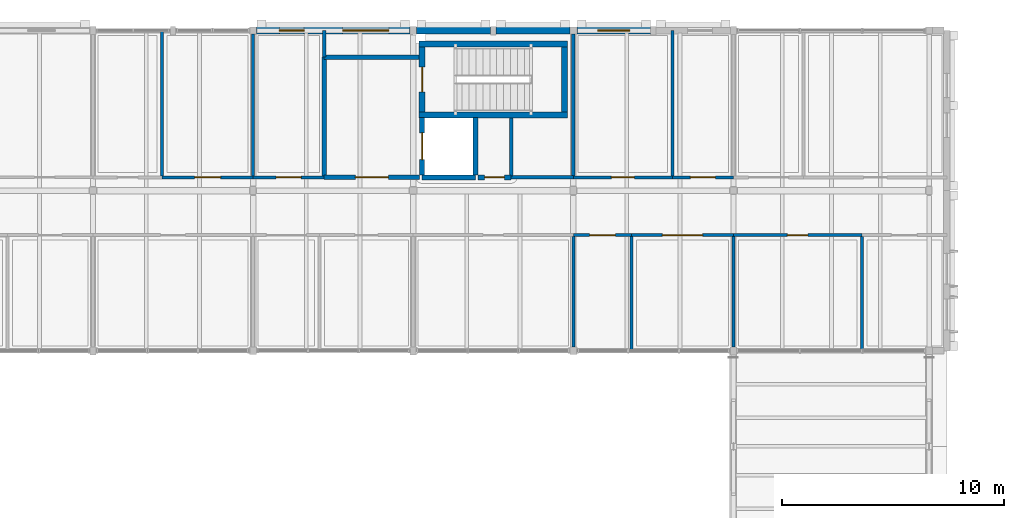
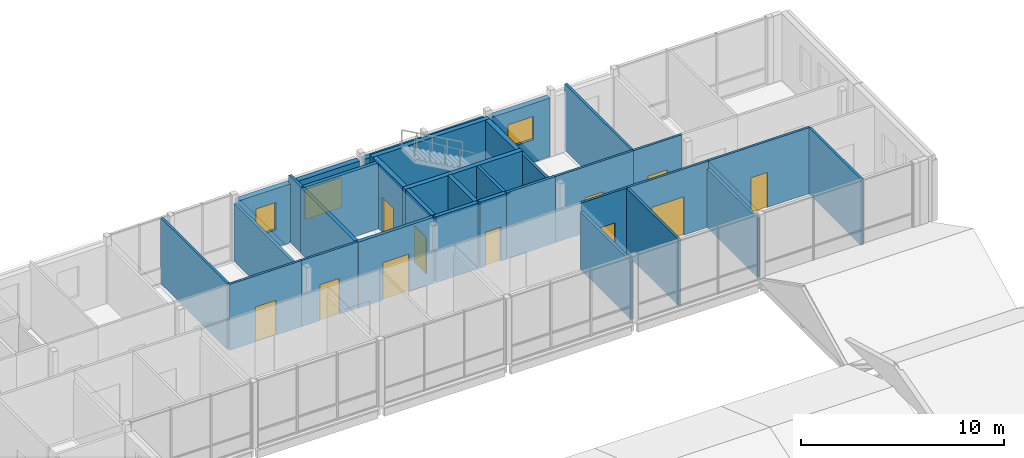
# One storey, part 88 of 115: 33 walls, 11 doors, 3 windows, 14 openings.
"""IFC4 building model written with IfcOpenShell, lengths in metres."""

from ifc_helpers import new_model, si_unit, direction, frame, frame_2d, origin, place, context, subcontext, project, spatial, rectangle, extrude, material, layer, layer_set, type_object, element, fill, save


model = new_model("IFC4")

# Units and contexts
model_context = context("Model", 3, precision=1e-05, world=origin(), true_north=direction((0.0, 1.0)))
body_context = subcontext(model_context, "Body", "Model", "MODEL_VIEW")
ifc_project = project(units=[si_unit("LENGTHUNIT", "METRE"), si_unit("AREAUNIT", "SQUARE_METRE"), si_unit("VOLUMEUNIT", "CUBIC_METRE"), si_unit("PLANEANGLEUNIT", "RADIAN"), si_unit("MASSUNIT", "GRAM", prefix="KILO")], contexts=[model_context])

# Site, building, storey
site_placement = place(None, origin())
site = spatial("IfcSite", under=ifc_project, at=site_placement, CompositionType="ELEMENT")
building_placement = place(site_placement, origin())
building = spatial("IfcBuilding", under=site, at=building_placement, Name="Hawrajan Terrace Health Centre", CompositionType="ELEMENT")
storey_placement = place(building_placement, frame((0.0, 0.0, 9.0)))
storey = spatial("IfcBuildingStorey", under=building, at=storey_placement, Name="L02", CompositionType="ELEMENT", Elevation=9.0)

# Wall, openings, windows
ifc_material_1 = material(Name="Precast concrete C40/50", Category="concrete")
ifc_layer_1 = layer(ifc_material_1, 0.31005859375)
ifc_layer_set_1 = layer_set([ifc_layer_1], Name="Precast concrete C40/50")
wall_type_1 = type_object("IfcWallType", Name="ArtDecoFacadeWall_310", PredefinedType="SOLIDWALL", material=ifc_layer_set_1)
wall_1_placement = place(storey_placement, frame((40.760009765625, 59.800048828125, 0.0), z_axis=(0.0, 0.0, 1.0), x_axis=(1.0, 0.0, 0.0)))
wall_1 = element("IfcWall", 1, at=wall_1_placement, inside=storey, type_object=wall_type_1, Name="Exterior wall EW-L02-H05-07-1", PredefinedType="SOLIDWALL", context=body_context, shape_type="SweptSolid", body=[
    extrude(rectangle(XDim=6.89990234375, YDim=0.31005859375, at=frame_2d((3.449951171875, 0.0))), origin(), (0.0, 0.0, 1.0), 3.530029296875),
])
opening_1_placement = place(wall_1_placement, frame((1.02001953125, 0.0, 1.050048828125)))
opening_1 = element("IfcOpeningElement", 2, at=opening_1_placement, cuts=wall_1, Name="Opening W-L02-143", PredefinedType="OPENING", context=body_context, shape_type="SweptSolid", body=[
    extrude(rectangle(XDim=1.1201171875, YDim=1.64990234375, at=frame_2d((0.56005859375, 0.824951171875))), frame((0.0, 0.1650390625, 0.0), z_axis=(0.0, -1.0, 0.0), x_axis=(1.0, 0.0, 0.0)), (0.0, 0.0, 1.0), 0.330078125),
])
opening_2_placement = place(wall_1_placement, frame((3.8701171875, 0.0, 1.0)))
opening_2 = element("IfcOpeningElement", 3, at=opening_2_placement, cuts=wall_1, Name="Opening W-L02-144", PredefinedType="OPENING", context=body_context, shape_type="SweptSolid", body=[
    extrude(rectangle(XDim=2.080078125, YDim=1.800048828125, at=frame_2d((1.0400390625, 0.89990234375))), frame((0.0, 0.1650390625, 0.0), z_axis=(0.0, -1.0, 0.0), x_axis=(1.0, 0.0, 0.0)), (0.0, 0.0, 1.0), 0.330078125),
])
ifc_material_2 = material(Name="Anodized bronze frame with double low-E glazing", Category="glass")
window_type_1 = type_object("IfcWindowType", Name="FacadeWindow_1120x1650", PartitioningType="SINGLE_PANEL", PredefinedType="WINDOW", material=ifc_material_2)
window_1_placement = place(opening_1_placement, origin())
window_1 = element("IfcWindow", 4, at=window_1_placement, inside=storey, type_object=window_type_1, Name="Window W-L02-143", OverallHeight=1.64990234375, OverallWidth=1.1201171875, PartitioningType="SINGLE_PANEL", PredefinedType="WINDOW", context=body_context, shape_type="SweptSolid", body=[
    extrude(rectangle(XDim=1.1201171875, YDim=1.64990234375, at=frame_2d((0.56005859375, 0.824951171875))), frame((0.0, 0.030029296875, 0.0), z_axis=(0.0, -1.0, 0.0), x_axis=(1.0, 0.0, 0.0)), (0.0, 0.0, 1.0), 0.06005859375),
])
fill(opening_1, window_1)
window_type_2 = type_object("IfcWindowType", Name="FacadeWindow_2080x1800", PartitioningType="DOUBLE_PANEL_VERTICAL", PredefinedType="WINDOW", material=ifc_material_2)
window_2_placement = place(opening_2_placement, origin())
window_2 = element("IfcWindow", 5, at=window_2_placement, inside=storey, type_object=window_type_2, Name="Window W-L02-144", OverallHeight=1.800048828125, OverallWidth=2.080078125, PartitioningType="DOUBLE_PANEL_VERTICAL", PredefinedType="WINDOW", context=body_context, shape_type="SweptSolid", body=[
    extrude(rectangle(XDim=2.080078125, YDim=1.800048828125, at=frame_2d((1.0400390625, 0.89990234375))), frame((0.0, 0.030029296875, 0.0), z_axis=(0.0, -1.0, 0.0), x_axis=(1.0, 0.0, 0.0)), (0.0, 0.0, 1.0), 0.06005859375),
])
fill(opening_2, window_2)

# Walls
wall_2_placement = place(storey_placement, frame((47.93994140625, 59.800048828125, 0.0), z_axis=(0.0, 0.0, 1.0), x_axis=(1.0, 0.0, 0.0)))
element("IfcWall", 6, at=wall_2_placement, inside=storey, type_object=wall_type_1, Name="Exterior wall EW-L02-H06-07-1", PredefinedType="SOLIDWALL", context=body_context, shape_type="SweptSolid", body=[
    extrude(rectangle(XDim=3.340087890625, YDim=0.31005859375, at=frame_2d((1.669921875, 0.0))), origin(), (0.0, 0.0, 1.0), 3.530029296875),
])
wall_3_placement = place(storey_placement, frame((51.52001953125, 59.800048828125, 0.0), z_axis=(0.0, 0.0, 1.0), x_axis=(1.0, 0.0, 0.0)))
element("IfcWall", 7, at=wall_3_placement, inside=storey, type_object=wall_type_1, Name="Exterior wall EW-L02-H06-07-2", PredefinedType="SOLIDWALL", context=body_context, shape_type="SweptSolid", body=[
    extrude(rectangle(XDim=3.320068359375, YDim=0.31005859375, at=frame_2d((1.66015625, 0.0))), origin(), (0.0, 0.0, 1.0), 3.530029296875),
])

# Wall, opening, window
wall_4_placement = place(storey_placement, frame((55.159912109375, 59.800048828125, 0.0), z_axis=(0.0, 0.0, 1.0), x_axis=(1.0, 0.0, 0.0)))
wall_4 = element("IfcWall", 8, at=wall_4_placement, inside=storey, type_object=wall_type_1, Name="Exterior wall EW-L02-H07-07-1", PredefinedType="SOLIDWALL", context=body_context, shape_type="SweptSolid", body=[
    extrude(rectangle(XDim=3.320068359375, YDim=0.31005859375, at=frame_2d((1.66015625, 0.0))), origin(), (0.0, 0.0, 1.0), 3.52001953125),
])
opening_3_placement = place(wall_4_placement, frame((0.93505859375, 0.0, 1.35009765625)))
opening_3 = element("IfcOpeningElement", 9, at=opening_3_placement, cuts=wall_4, Name="Opening W-L02-149", PredefinedType="OPENING", context=body_context, shape_type="SweptSolid", body=[
    extrude(rectangle(XDim=1.449951171875, YDim=1.39990234375, at=frame_2d((0.72509765625, 0.699951171875))), frame((0.0, 0.1650390625, 0.0), z_axis=(0.0, -1.0, 0.0), x_axis=(1.0, 0.0, 0.0)), (0.0, 0.0, 1.0), 0.330078125),
])
window_type_3 = type_object("IfcWindowType", Name="FacadeWindow_1450x1400", PartitioningType="SINGLE_PANEL", PredefinedType="WINDOW", material=ifc_material_2)
window_3_placement = place(opening_3_placement, origin())
window_3 = element("IfcWindow", 10, at=window_3_placement, inside=storey, type_object=window_type_3, Name="Window W-L02-149", OverallHeight=1.39990234375, OverallWidth=1.449951171875, PartitioningType="SINGLE_PANEL", PredefinedType="WINDOW", context=body_context, shape_type="SweptSolid", body=[
    extrude(rectangle(XDim=1.449951171875, YDim=1.39990234375, at=frame_2d((0.72509765625, 0.699951171875))), frame((0.0, 0.030029296875, 0.0), z_axis=(0.0, -1.0, 0.0), x_axis=(1.0, 0.0, 0.0)), (0.0, 0.0, 1.0), 0.06005859375),
])
fill(opening_3, window_3)

# Wall
ifc_material_3 = material(Name="Gypsum board on acoustic stud framing")
ifc_layer_2 = layer(ifc_material_3, 0.139892578125)
ifc_layer_set_2 = layer_set([ifc_layer_2], Name="Gypsum board on acoustic stud framing")
wall_type_2 = type_object("IfcWallType", Name="ClinicalAcousticWall_140", PredefinedType="PARTITIONING", material=ifc_layer_set_2)
wall_5_placement = place(storey_placement, frame((36.510009765625, 53.27001953125, 0.0), z_axis=(0.0, 0.0, 1.0), x_axis=(0.0, 1.0, 0.0)))
element("IfcWall", 11, at=wall_5_placement, inside=storey, type_object=wall_type_2, Name="Interior wall IW-L02-1074", PredefinedType="PARTITIONING", context=body_context, shape_type="SweptSolid", body=[
    extrude(rectangle(XDim=6.530029296875, YDim=0.139892578125, at=frame_2d((3.26513671875, 0.0))), origin(), (0.0, 0.0, 1.0), 3.9599609375),
])

# Wall, opening, door
wall_6_placement = place(storey_placement, frame((36.510009765625, 53.199951171875, 0.0), z_axis=(0.0, 0.0, 1.0), x_axis=(1.0, 0.0, 0.0)))
wall_6 = element("IfcWall", 12, at=wall_6_placement, inside=storey, type_object=wall_type_2, Name="Interior wall IW-L02-1075", PredefinedType="PARTITIONING", context=body_context, shape_type="SweptSolid", body=[
    extrude(rectangle(XDim=4.090087890625, YDim=0.139892578125, at=frame_2d((2.044921875, 0.0))), origin(), (0.0, 0.0, 1.0), 3.9599609375),
])
opening_4_placement = place(wall_6_placement, frame((1.465087890625, 0.0, 0.0)))
opening_4 = element("IfcOpeningElement", 13, at=opening_4_placement, cuts=wall_6, Name="Opening D-L02-492", PredefinedType="OPENING", context=body_context, shape_type="SweptSolid", body=[
    extrude(rectangle(XDim=1.159912109375, YDim=2.10009765625, at=frame_2d((0.580078125, 1.050048828125))), frame((0.0, 0.079833984375, 0.0), z_axis=(0.0, -1.0, 0.0), x_axis=(1.0, 0.0, 0.0)), (0.0, 0.0, 1.0), 0.159912109375),
])
ifc_material_4 = material(Name="Hardwood acoustic clinical door leaf and frame", Category="wood")
door_type_1 = type_object("IfcDoorType", Name="ConsultDoor_1160x2100", OperationType="NOTDEFINED", PredefinedType="DOOR", material=ifc_material_4)
door_1_placement = place(opening_4_placement, origin())
door_1 = element("IfcDoor", 14, at=door_1_placement, inside=storey, type_object=door_type_1, Name="Interior door D-L02-492", OperationType="SINGLE_SWING_RIGHT", OverallHeight=2.10009765625, OverallWidth=1.159912109375, PredefinedType="DOOR", context=body_context, shape_type="SweptSolid", body=[
    extrude(rectangle(XDim=1.159912109375, YDim=2.10009765625, at=frame_2d((0.580078125, 1.050048828125))), frame((0.0, 0.02490234375, 0.0), z_axis=(0.0, -1.0, 0.0), x_axis=(1.0, 0.0, 0.0)), (0.0, 0.0, 1.0), 0.050048828125),
])
fill(opening_4, door_1)

# Wall
wall_7_placement = place(storey_placement, frame((40.60009765625, 53.27001953125, 0.0), z_axis=(0.0, 0.0, 1.0), x_axis=(0.0, 1.0, 0.0)))
element("IfcWall", 15, at=wall_7_placement, inside=storey, type_object=wall_type_2, Name="Interior wall IW-L02-1080", PredefinedType="PARTITIONING", context=body_context, shape_type="SweptSolid", body=[
    extrude(rectangle(XDim=6.369873046875, YDim=0.139892578125, at=frame_2d((3.18505859375, 0.0))), origin(), (0.0, 0.0, 1.0), 3.469970703125),
])

# Wall, opening, door
wall_8_placement = place(storey_placement, frame((40.60009765625, 53.199951171875, 0.0), z_axis=(0.0, 0.0, 1.0), x_axis=(1.0, 0.0, 0.0)))
wall_8 = element("IfcWall", 16, at=wall_8_placement, inside=storey, type_object=wall_type_2, Name="Interior wall IW-L02-1081", PredefinedType="PARTITIONING", context=body_context, shape_type="SweptSolid", body=[
    extrude(rectangle(XDim=3.199951171875, YDim=0.139892578125, at=frame_2d((1.60009765625, 0.0))), origin(), (0.0, 0.0, 1.0), 3.9599609375),
])
opening_5_placement = place(wall_8_placement, frame((1.0400390625, 0.0, 0.0)))
opening_5 = element("IfcOpeningElement", 17, at=opening_5_placement, cuts=wall_8, Name="Opening D-L02-495", PredefinedType="OPENING", context=body_context, shape_type="SweptSolid", body=[
    extrude(rectangle(XDim=1.1201171875, YDim=2.14990234375, at=frame_2d((0.56005859375, 1.074951171875))), frame((0.0, 0.079833984375, 0.0), z_axis=(0.0, -1.0, 0.0), x_axis=(1.0, 0.0, 0.0)), (0.0, 0.0, 1.0), 0.159912109375),
])
door_type_2 = type_object("IfcDoorType", Name="DentalSurgeryDoor_1120x2150", OperationType="NOTDEFINED", PredefinedType="DOOR", material=ifc_material_4)
door_2_placement = place(opening_5_placement, origin())
door_2 = element("IfcDoor", 18, at=door_2_placement, inside=storey, type_object=door_type_2, Name="Interior door D-L02-495", OperationType="SINGLE_SWING_LEFT", OverallHeight=2.14990234375, OverallWidth=1.1201171875, PredefinedType="DOOR", context=body_context, shape_type="SweptSolid", body=[
    extrude(rectangle(XDim=1.1201171875, YDim=2.14990234375, at=frame_2d((0.56005859375, 1.074951171875))), frame((0.0, 0.02490234375, 0.0), z_axis=(0.0, -1.0, 0.0), x_axis=(1.0, 0.0, 0.0)), (0.0, 0.0, 1.0), 0.050048828125),
])
fill(opening_5, door_2)

# Wall
wall_9_placement = place(storey_placement, frame((55.0, 45.56005859375, 0.0), z_axis=(0.0, 0.0, 1.0), x_axis=(0.0, 1.0, 0.0)))
element("IfcWall", 19, at=wall_9_placement, inside=storey, type_object=wall_type_2, Name="Interior wall IW-L02-1100", PredefinedType="PARTITIONING", context=body_context, shape_type="SweptSolid", body=[
    extrude(rectangle(XDim=4.969970703125, YDim=0.139892578125, at=frame_2d((2.48486328125, 0.0))), origin(), (0.0, 0.0, 1.0), 3.469970703125),
])

# Wall, opening, door
wall_10_placement = place(storey_placement, frame((55.0, 50.60009765625, 0.0), z_axis=(0.0, 0.0, 1.0), x_axis=(1.0, 0.0, 0.0)))
wall_10 = element("IfcWall", 20, at=wall_10_placement, inside=storey, type_object=wall_type_2, Name="Interior wall IW-L02-1101", PredefinedType="PARTITIONING", context=body_context, shape_type="SweptSolid", body=[
    extrude(rectangle(XDim=2.62109375, YDim=0.139892578125, at=frame_2d((1.310546875, 0.0))), origin(), (0.0, 0.0, 1.0), 3.9599609375),
])
opening_6_placement = place(wall_10_placement, frame((0.73046875, 0.0, 0.0)))
opening_6 = element("IfcOpeningElement", 21, at=opening_6_placement, cuts=wall_10, Name="Opening D-L02-497", PredefinedType="OPENING", context=body_context, shape_type="SweptSolid", body=[
    extrude(rectangle(XDim=1.159912109375, YDim=2.10009765625, at=frame_2d((0.580078125, 1.050048828125))), frame((0.0, 0.079833984375, 0.0), z_axis=(0.0, -1.0, 0.0), x_axis=(1.0, 0.0, 0.0)), (0.0, 0.0, 1.0), 0.159912109375),
])
door_3_placement = place(opening_6_placement, origin())
door_3 = element("IfcDoor", 22, at=door_3_placement, inside=storey, type_object=door_type_1, Name="Interior door D-L02-497", OperationType="SINGLE_SWING_LEFT", OverallHeight=2.10009765625, OverallWidth=1.159912109375, PredefinedType="DOOR", context=body_context, shape_type="SweptSolid", body=[
    extrude(rectangle(XDim=1.159912109375, YDim=2.10009765625, at=frame_2d((0.580078125, 1.050048828125))), frame((0.0, 0.02490234375, 0.0), z_axis=(0.0, -1.0, 0.0), x_axis=(1.0, 0.0, 0.0)), (0.0, 0.0, 1.0), 0.050048828125),
])
fill(opening_6, door_3)

wall_11_placement = place(storey_placement, frame((55.0, 53.199951171875, 0.0), z_axis=(0.0, 0.0, 1.0), x_axis=(1.0, 0.0, 0.0)))
wall_11 = element("IfcWall", 23, at=wall_11_placement, inside=storey, type_object=wall_type_2, Name="Interior wall IW-L02-1102", PredefinedType="PARTITIONING", context=body_context, shape_type="SweptSolid", body=[
    extrude(rectangle(XDim=4.45703125, YDim=0.139892578125, at=frame_2d((2.228515625, 0.0))), origin(), (0.0, 0.0, 1.0), 3.9599609375),
])
opening_7_placement = place(wall_11_placement, frame((1.70849609375, 0.0, 0.0)))
opening_7 = element("IfcOpeningElement", 24, at=opening_7_placement, cuts=wall_11, Name="Opening D-L02-499", PredefinedType="OPENING", context=body_context, shape_type="SweptSolid", body=[
    extrude(rectangle(XDim=1.0400390625, YDim=2.10009765625, at=frame_2d((0.52001953125, 1.050048828125))), frame((0.0, 0.079833984375, 0.0), z_axis=(0.0, -1.0, 0.0), x_axis=(1.0, 0.0, 0.0)), (0.0, 0.0, 1.0), 0.159912109375),
])
door_type_3 = type_object("IfcDoorType", Name="ConsultDoor_1040x2100", OperationType="NOTDEFINED", PredefinedType="DOOR", material=ifc_material_4)
door_4_placement = place(opening_7_placement, origin())
door_4 = element("IfcDoor", 25, at=door_4_placement, inside=storey, type_object=door_type_3, Name="Interior door D-L02-499", OperationType="SINGLE_SWING_LEFT", OverallHeight=2.10009765625, OverallWidth=1.0400390625, PredefinedType="DOOR", context=body_context, shape_type="SweptSolid", body=[
    extrude(rectangle(XDim=1.0400390625, YDim=2.10009765625, at=frame_2d((0.52001953125, 1.050048828125))), frame((0.0, 0.02490234375, 0.0), z_axis=(0.0, -1.0, 0.0), x_axis=(1.0, 0.0, 0.0)), (0.0, 0.0, 1.0), 0.050048828125),
])
fill(opening_7, door_4)

# Wall
wall_12_placement = place(storey_placement, frame((57.62109375, 45.39990234375, 0.0), z_axis=(0.0, 0.0, 1.0), x_axis=(0.0, 1.0, 0.0)))
element("IfcWall", 26, at=wall_12_placement, inside=storey, type_object=wall_type_2, Name="Interior wall IW-L02-1103", PredefinedType="PARTITIONING", context=body_context, shape_type="SweptSolid", body=[
    extrude(rectangle(XDim=5.130126953125, YDim=0.139892578125, at=frame_2d((2.56494140625, 0.0))), origin(), (0.0, 0.0, 1.0), 3.9599609375),
])

# Wall, opening, door
wall_13_placement = place(storey_placement, frame((57.62109375, 50.60009765625, 0.0), z_axis=(0.0, 0.0, 1.0), x_axis=(1.0, 0.0, 0.0)))
wall_13 = element("IfcWall", 27, at=wall_13_placement, inside=storey, type_object=wall_type_2, Name="Interior wall IW-L02-1104", PredefinedType="PARTITIONING", context=body_context, shape_type="SweptSolid", body=[
    extrude(rectangle(XDim=4.578857421875, YDim=0.139892578125, at=frame_2d((2.28955078125, 0.0))), origin(), (0.0, 0.0, 1.0), 3.9599609375),
])
opening_8_placement = place(wall_13_placement, frame((1.389404296875, 0.0, 0.0)))
opening_8 = element("IfcOpeningElement", 28, at=opening_8_placement, cuts=wall_13, Name="Opening D-L02-498", PredefinedType="OPENING", context=body_context, shape_type="SweptSolid", body=[
    extrude(rectangle(XDim=1.800048828125, YDim=2.300048828125, at=frame_2d((0.89990234375, 1.14990234375))), frame((0.0, 0.079833984375, 0.0), z_axis=(0.0, -1.0, 0.0), x_axis=(1.0, 0.0, 0.0)), (0.0, 0.0, 1.0), 0.159912109375),
])
door_type_4 = type_object("IfcDoorType", Name="EducationHallDoor_1800x2300", OperationType="DOUBLE_DOOR_SINGLE_SWING", PredefinedType="DOOR", material=ifc_material_4)
door_5_placement = place(opening_8_placement, origin())
door_5 = element("IfcDoor", 29, at=door_5_placement, inside=storey, type_object=door_type_4, Name="Interior door D-L02-498", OperationType="DOUBLE_DOOR_SINGLE_SWING", OverallHeight=2.300048828125, OverallWidth=1.800048828125, PredefinedType="DOOR", context=body_context, shape_type="SweptSolid", body=[
    extrude(rectangle(XDim=1.800048828125, YDim=2.300048828125, at=frame_2d((0.89990234375, 1.14990234375))), frame((0.0, 0.02490234375, 0.0), z_axis=(0.0, -1.0, 0.0), x_axis=(1.0, 0.0, 0.0)), (0.0, 0.0, 1.0), 0.050048828125),
])
fill(opening_8, door_5)

# Wall
wall_14_placement = place(storey_placement, frame((59.45703125, 53.27001953125, 0.0), z_axis=(0.0, 0.0, 1.0), x_axis=(0.0, 1.0, 0.0)))
element("IfcWall", 30, at=wall_14_placement, inside=storey, type_object=wall_type_2, Name="Interior wall IW-L02-1106", PredefinedType="PARTITIONING", context=body_context, shape_type="SweptSolid", body=[
    extrude(rectangle(XDim=6.530029296875, YDim=0.139892578125, at=frame_2d((3.26513671875, 0.0))), origin(), (0.0, 0.0, 1.0), 3.9599609375),
])

# Wall, opening, door
wall_15_placement = place(storey_placement, frame((59.45703125, 53.199951171875, 0.0), z_axis=(0.0, 0.0, 1.0), x_axis=(1.0, 0.0, 0.0)))
wall_15 = element("IfcWall", 31, at=wall_15_placement, inside=storey, type_object=wall_type_2, Name="Interior wall IW-L02-1107", PredefinedType="PARTITIONING", context=body_context, shape_type="SweptSolid", body=[
    extrude(rectangle(XDim=2.742919921875, YDim=0.139892578125, at=frame_2d((1.37158203125, 0.0))), origin(), (0.0, 0.0, 1.0), 3.9599609375),
])
opening_9_placement = place(wall_15_placement, frame((0.8115234375, 0.0, 0.0)))
opening_9 = element("IfcOpeningElement", 32, at=opening_9_placement, cuts=wall_15, Name="Opening D-L02-500", PredefinedType="OPENING", context=body_context, shape_type="SweptSolid", body=[
    extrude(rectangle(XDim=1.1201171875, YDim=2.14990234375, at=frame_2d((0.56005859375, 1.074951171875))), frame((0.0, 0.079833984375, 0.0), z_axis=(0.0, -1.0, 0.0), x_axis=(1.0, 0.0, 0.0)), (0.0, 0.0, 1.0), 0.159912109375),
])
door_6_placement = place(opening_9_placement, origin())
door_6 = element("IfcDoor", 33, at=door_6_placement, inside=storey, type_object=door_type_2, Name="Interior door D-L02-500", OperationType="SINGLE_SWING_RIGHT", OverallHeight=2.14990234375, OverallWidth=1.1201171875, PredefinedType="DOOR", context=body_context, shape_type="SweptSolid", body=[
    extrude(rectangle(XDim=1.1201171875, YDim=2.14990234375, at=frame_2d((0.56005859375, 1.074951171875))), frame((0.0, 0.02490234375, 0.0), z_axis=(0.0, -1.0, 0.0), x_axis=(1.0, 0.0, 0.0)), (0.0, 0.0, 1.0), 0.050048828125),
])
fill(opening_9, door_6)

# Wall
wall_16_placement = place(storey_placement, frame((62.199951171875, 45.580078125, 0.0), z_axis=(0.0, 0.0, 1.0), x_axis=(0.0, 1.0, 0.0)))
element("IfcWall", 34, at=wall_16_placement, inside=storey, type_object=wall_type_2, Name="Interior wall IW-L02-1111", PredefinedType="PARTITIONING", context=body_context, shape_type="SweptSolid", body=[
    extrude(rectangle(XDim=4.949951171875, YDim=0.139892578125, at=frame_2d((2.47509765625, 0.0))), origin(), (0.0, 0.0, 1.0), 3.52001953125),
])

# Wall, opening, door
wall_17_placement = place(storey_placement, frame((62.199951171875, 50.60009765625, 0.0), z_axis=(0.0, 0.0, 1.0), x_axis=(1.0, 0.0, 0.0)))
wall_17 = element("IfcWall", 35, at=wall_17_placement, inside=storey, type_object=wall_type_2, Name="Interior wall IW-L02-1112", PredefinedType="PARTITIONING", context=body_context, shape_type="SweptSolid", body=[
    extrude(rectangle(XDim=5.776123046875, YDim=0.139892578125, at=frame_2d((2.88818359375, 0.0))), origin(), (0.0, 0.0, 1.0), 3.9599609375),
])
opening_10_placement = place(wall_17_placement, frame((2.427978515625, 0.0, 0.0)))
opening_10 = element("IfcOpeningElement", 36, at=opening_10_placement, cuts=wall_17, Name="Opening D-L02-501", PredefinedType="OPENING", context=body_context, shape_type="SweptSolid", body=[
    extrude(rectangle(XDim=0.919921875, YDim=2.10009765625, at=frame_2d((0.4599609375, 1.050048828125))), frame((0.0, 0.079833984375, 0.0), z_axis=(0.0, -1.0, 0.0), x_axis=(1.0, 0.0, 0.0)), (0.0, 0.0, 1.0), 0.159912109375),
])
door_type_5 = type_object("IfcDoorType", Name="StaffOfficeDoor_920x2100", OperationType="NOTDEFINED", PredefinedType="DOOR", material=ifc_material_4)
door_7_placement = place(opening_10_placement, origin())
door_7 = element("IfcDoor", 37, at=door_7_placement, inside=storey, type_object=door_type_5, Name="Interior door D-L02-501", OperationType="SINGLE_SWING_LEFT", OverallHeight=2.10009765625, OverallWidth=0.919921875, PredefinedType="DOOR", context=body_context, shape_type="SweptSolid", body=[
    extrude(rectangle(XDim=0.919921875, YDim=2.10009765625, at=frame_2d((0.4599609375, 1.050048828125))), frame((0.0, 0.02490234375, 0.0), z_axis=(0.0, -1.0, 0.0), x_axis=(1.0, 0.0, 0.0)), (0.0, 0.0, 1.0), 0.050048828125),
])
fill(opening_10, door_7)

# Walls
wall_18_placement = place(storey_placement, frame((67.97607421875, 45.39990234375, 0.0), z_axis=(0.0, 0.0, 1.0), x_axis=(0.0, 1.0, 0.0)))
element("IfcWall", 38, at=wall_18_placement, inside=storey, type_object=wall_type_2, Name="Interior wall IW-L02-1121", PredefinedType="PARTITIONING", context=body_context, shape_type="SweptSolid", body=[
    extrude(rectangle(XDim=5.130126953125, YDim=0.139892578125, at=frame_2d((2.56494140625, 0.0))), origin(), (0.0, 0.0, 1.0), 3.9599609375),
])
ifc_material_5 = material(Name="Concrete C40/50", Category="concrete")
ifc_layer_3 = layer(ifc_material_5, 0.260009765625)
ifc_layer_set_3 = layer_set([ifc_layer_3], Name="Concrete C40/50")
wall_type_3 = type_object("IfcWallType", Name="CoreShearWall_RC260", PredefinedType="SHEAR", material=ifc_layer_set_3)
for number, where, z_axis, x_axis, name in (
    (39, (48.070068359375, 56.0, 0.0), (0.0, 0.0, 1.0), (1.0, 0.0, 0.0), "Core shear wall SW-C2-L02-S"),
    (40, (48.070068359375, 59.199951171875, 0.0), (0.0, 0.0, 1.0), (1.0, 0.0, 0.0), "Core shear wall SW-C2-L02-N"),
):
    element("IfcWall", number, at=place(storey_placement, frame(where, z_axis=z_axis, x_axis=x_axis)), inside=storey, type_object=wall_type_3, Name=name, PredefinedType="SHEAR", context=body_context, shape_type="SweptSolid", body=[
        extrude(rectangle(XDim=6.659912109375, YDim=0.260009765625, at=frame_2d((3.330078125, 0.0))), origin(), (0.0, 0.0, 1.0), 3.949951171875),
    ])

# Wall, opening, door
wall_19_placement = place(storey_placement, frame((48.199951171875, 56.1298828125, 0.0), z_axis=(0.0, 0.0, 1.0), x_axis=(0.0, 1.0, 0.0)))
wall_19 = element("IfcWall", 41, at=wall_19_placement, inside=storey, type_object=wall_type_3, Name="Core shear wall SW-C2-L02-W", PredefinedType="SHEAR", context=body_context, shape_type="SweptSolid", body=[
    extrude(rectangle(XDim=2.940185546875, YDim=0.260009765625, at=frame_2d((1.47021484375, 0.0))), origin(), (0.0, 0.0, 1.0), 3.949951171875),
])
opening_11_placement = place(wall_19_placement, frame((0.909912109375, 0.0, 0.0)))
opening_11 = element("IfcOpeningElement", 42, at=opening_11_placement, cuts=wall_19, Name="Opening D-L02-432", PredefinedType="OPENING", context=body_context, shape_type="SweptSolid", body=[
    extrude(rectangle(XDim=1.1201171875, YDim=2.10009765625, at=frame_2d((0.56005859375, 1.050048828125))), frame((0.0, 0.139892578125, 0.0), z_axis=(0.0, -1.0, 0.0), x_axis=(1.0, 0.0, 0.0)), (0.0, 0.0, 1.0), 0.280029296875),
])
ifc_material_6 = material(Name="Timber-veneered acoustic fire-resisting door assembly", Category="wood")
door_type_6 = type_object("IfcDoorType", Name="CoreStairDoor_1120x2100", OperationType="NOTDEFINED", PredefinedType="DOOR", material=ifc_material_6)
door_8_placement = place(opening_11_placement, origin())
door_8 = element("IfcDoor", 43, at=door_8_placement, inside=storey, type_object=door_type_6, Name="Interior door D-L02-432", OperationType="SINGLE_SWING_RIGHT", OverallHeight=2.10009765625, OverallWidth=1.1201171875, PredefinedType="DOOR", context=body_context, shape_type="SweptSolid", body=[
    extrude(rectangle(XDim=1.1201171875, YDim=2.10009765625, at=frame_2d((0.56005859375, 1.050048828125))), frame((0.0, 0.02490234375, 0.0), z_axis=(0.0, -1.0, 0.0), x_axis=(1.0, 0.0, 0.0)), (0.0, 0.0, 1.0), 0.050048828125),
])
fill(opening_11, door_8)

# Walls
wall_20_placement = place(storey_placement, frame((54.60009765625, 56.1298828125, 0.0), z_axis=(0.0, 0.0, 1.0), x_axis=(0.0, 1.0, 0.0)))
element("IfcWall", 44, at=wall_20_placement, inside=storey, type_object=wall_type_3, Name="Core shear wall SW-C2-L02-E", PredefinedType="SHEAR", context=body_context, shape_type="SweptSolid", body=[
    extrude(rectangle(XDim=2.940185546875, YDim=0.260009765625, at=frame_2d((1.47021484375, 0.0))), origin(), (0.0, 0.0, 1.0), 3.949951171875),
])
ifc_layer_4 = layer(ifc_material_3, 0.159912109375)
ifc_layer_set_4 = layer_set([ifc_layer_4], Name="Gypsum board on acoustic stud framing")
wall_type_4 = type_object("IfcWallType", Name="CorridorFireWall_160", PredefinedType="PARTITIONING", material=ifc_layer_set_4)
wall_21_placement = place(storey_placement, frame((52.199951171875, 53.27001953125, 0.0), z_axis=(0.0, 0.0, 1.0), x_axis=(0.0, 1.0, 0.0)))
element("IfcWall", 45, at=wall_21_placement, inside=storey, type_object=wall_type_4, Name="Interior wall IW-L02-1210", PredefinedType="PARTITIONING", context=body_context, shape_type="SweptSolid", body=[
    extrude(rectangle(XDim=2.590087890625, YDim=0.159912109375, at=frame_2d((1.294921875, 0.0))), origin(), (0.0, 0.0, 1.0), 3.9599609375),
])
wall_22_placement = place(storey_placement, frame((55.0, 53.199951171875, 0.0), z_axis=(0.0, 0.0, 1.0), x_axis=(-1.0, 0.0, 0.0)))
element("IfcWall", 46, at=wall_22_placement, inside=storey, type_object=wall_type_4, Name="Interior wall IW-L02-1223", PredefinedType="PARTITIONING", context=body_context, shape_type="SweptSolid", body=[
    extrude(rectangle(XDim=2.800048828125, YDim=0.159912109375, at=frame_2d((1.39990234375, 0.0))), origin(), (0.0, 0.0, 1.0), 3.9599609375),
])
wall_23_placement = place(storey_placement, frame((43.800048828125, 58.60009765625, 0.0), z_axis=(0.0, 0.0, 1.0), x_axis=(0.0, 1.0, 0.0)))
element("IfcWall", 47, at=wall_23_placement, inside=storey, type_object=wall_type_4, Name="Interior wall IW-L02-1256", PredefinedType="PARTITIONING", context=body_context, shape_type="SweptSolid", body=[
    extrude(rectangle(XDim=1.199951171875, YDim=0.159912109375, at=frame_2d((0.60009765625, 0.0))), origin(), (0.0, 0.0, 1.0), 3.9599609375),
])
wall_24_placement = place(storey_placement, frame((55.0, 53.27001953125, 0.0), z_axis=(0.0, 0.0, 1.0), x_axis=(0.0, 1.0, 0.0)))
element("IfcWall", 48, at=wall_24_placement, inside=storey, type_object=wall_type_4, Name="Interior wall IW-L02-1257", PredefinedType="PARTITIONING", context=body_context, shape_type="SweptSolid", body=[
    extrude(rectangle(XDim=6.369873046875, YDim=0.159912109375, at=frame_2d((3.18505859375, 0.0))), origin(), (0.0, 0.0, 1.0), 3.469970703125),
])
ifc_material_7 = material(Name="Cross-laminated timber CLT C24", Category="wood")
ifc_layer_5 = layer(ifc_material_7, 0.199951171875)
ifc_layer_set_5 = layer_set([ifc_layer_5], Name="Cross-laminated timber CLT C24")
wall_type_5 = type_object("IfcWallType", Name="FireCompartmentWall_200", PredefinedType="PARTITIONING", material=ifc_layer_set_5)
wall_25_placement = place(storey_placement, frame((43.800048828125, 53.27001953125, 0.0), z_axis=(0.0, 0.0, 1.0), x_axis=(0.0, 1.0, 0.0)))
element("IfcWall", 49, at=wall_25_placement, inside=storey, type_object=wall_type_5, Name="Interior wall IW-L02-1084", PredefinedType="PARTITIONING", context=body_context, shape_type="SweptSolid", body=[
    extrude(rectangle(XDim=5.330078125, YDim=0.199951171875, at=frame_2d((2.6650390625, 0.0))), origin(), (0.0, 0.0, 1.0), 3.9599609375),
])

# Wall, opening, door
wall_26_placement = place(storey_placement, frame((43.800048828125, 53.199951171875, 0.0), z_axis=(0.0, 0.0, 1.0), x_axis=(1.0, 0.0, 0.0)))
wall_26 = element("IfcWall", 50, at=wall_26_placement, inside=storey, type_object=wall_type_5, Name="Interior wall IW-L02-1085", PredefinedType="PARTITIONING", context=body_context, shape_type="SweptSolid", body=[
    extrude(rectangle(XDim=4.2900390625, YDim=0.199951171875, at=frame_2d((2.14501953125, 0.0))), origin(), (0.0, 0.0, 1.0), 3.9599609375),
])
opening_12_placement = place(wall_26_placement, frame((1.405029296875, 0.0, 0.0)))
opening_12 = element("IfcOpeningElement", 51, at=opening_12_placement, cuts=wall_26, Name="Opening D-L02-439", PredefinedType="OPENING", context=body_context, shape_type="SweptSolid", body=[
    extrude(rectangle(XDim=1.47998046875, YDim=2.25, at=frame_2d((0.739990234375, 1.125))), frame((0.0, 0.10986328125, 0.0), z_axis=(0.0, -1.0, 0.0), x_axis=(1.0, 0.0, 0.0)), (0.0, 0.0, 1.0), 0.219970703125),
])
door_type_7 = type_object("IfcDoorType", Name="FFLobbyDoor_1480x2250", OperationType="DOUBLE_DOOR_SINGLE_SWING", PredefinedType="DOOR", material=ifc_material_6)
door_9_placement = place(opening_12_placement, origin())
door_9 = element("IfcDoor", 52, at=door_9_placement, inside=storey, type_object=door_type_7, Name="Interior door D-L02-439", OperationType="DOUBLE_DOOR_SINGLE_SWING", OverallHeight=2.25, OverallWidth=1.47998046875, PredefinedType="DOOR", context=body_context, shape_type="SweptSolid", body=[
    extrude(rectangle(XDim=1.47998046875, YDim=2.25, at=frame_2d((0.739990234375, 1.125))), frame((0.0, 0.02490234375, 0.0), z_axis=(0.0, -1.0, 0.0), x_axis=(1.0, 0.0, 0.0)), (0.0, 0.0, 1.0), 0.050048828125),
])
fill(opening_12, door_9)

# Walls
wall_27_placement = place(storey_placement, frame((48.06005859375, 58.60009765625, 0.0), z_axis=(0.0, 0.0, 1.0), x_axis=(-1.0, 0.0, 0.0)))
element("IfcWall", 53, at=wall_27_placement, inside=storey, type_object=wall_type_5, Name="Interior wall IW-L02-1214", PredefinedType="PARTITIONING", context=body_context, shape_type="SweptSolid", body=[
    extrude(rectangle(XDim=4.260009765625, YDim=0.199951171875, at=frame_2d((2.1298828125, 0.0))), origin(), (0.0, 0.0, 1.0), 3.9599609375),
])
ifc_layer_6 = layer(ifc_material_5, 0.219970703125)
ifc_layer_set_6 = layer_set([ifc_layer_6], Name="Concrete C40/50")
wall_type_6 = type_object("IfcWallType", Name="ShaftWall_RC220", PredefinedType="SOLIDWALL", material=ifc_layer_set_6)
wall_28_placement = place(storey_placement, frame((48.199951171875, 53.199951171875, 0.0), z_axis=(0.0, 0.0, 1.0), x_axis=(1.0, 0.0, 0.0)))
element("IfcWall", 54, at=wall_28_placement, inside=storey, type_object=wall_type_6, Name="Lift shaft wall LW-LC-03-L02-S", PredefinedType="SOLIDWALL", context=body_context, shape_type="SweptSolid", body=[
    extrude(rectangle(XDim=2.400146484375, YDim=0.219970703125, at=frame_2d((1.2001953125, 0.0))), origin(), (0.0, 0.0, 1.0), 3.949951171875),
])

# Wall, opening, door
wall_29_placement = place(storey_placement, frame((48.199951171875, 53.31005859375, 0.0), z_axis=(0.0, 0.0, 1.0), x_axis=(0.0, 1.0, 0.0)))
wall_29 = element("IfcWall", 55, at=wall_29_placement, inside=storey, type_object=wall_type_6, Name="Lift shaft wall LW-LC-03-L02-W", PredefinedType="SOLIDWALL", context=body_context, shape_type="SweptSolid", body=[
    extrude(rectangle(XDim=2.579833984375, YDim=0.219970703125, at=frame_2d((1.2900390625, 0.0))), origin(), (0.0, 0.0, 1.0), 3.949951171875),
])
opening_13_placement = place(wall_29_placement, frame((0.68994140625, 0.0, 0.0)))
opening_13 = element("IfcOpeningElement", 56, at=opening_13_placement, cuts=wall_29, Name="Opening LD-L02-LC-03", PredefinedType="OPENING", context=body_context, shape_type="SweptSolid", body=[
    extrude(rectangle(XDim=1.199951171875, YDim=2.14990234375, at=frame_2d((0.60009765625, 1.074951171875))), frame((0.0, 0.119873046875, 0.0), z_axis=(0.0, -1.0, 0.0), x_axis=(1.0, 0.0, 0.0)), (0.0, 0.0, 1.0), 0.239990234375),
])
ifc_material_8 = material(Name="Brushed bronze stainless-steel sliding lift landing door", Category="steel")
door_type_8 = type_object("IfcDoorType", Name="LiftLandingDoor_1200x2150", OperationType="SLIDING_TO_LEFT", PredefinedType="DOOR", material=ifc_material_8)
door_10_placement = place(opening_13_placement, origin())
door_10 = element("IfcDoor", 57, at=door_10_placement, inside=storey, type_object=door_type_8, Name="Lift landing door LD-L02-LC-03", OperationType="SLIDING_TO_LEFT", OverallHeight=2.14990234375, OverallWidth=1.199951171875, PredefinedType="DOOR", context=body_context, shape_type="SweptSolid", body=[
    extrude(rectangle(XDim=1.199951171875, YDim=2.14990234375, at=frame_2d((0.60009765625, 1.074951171875))), frame((0.0, 0.02490234375, 0.0), z_axis=(0.0, -1.0, 0.0), x_axis=(1.0, 0.0, 0.0)), (0.0, 0.0, 1.0), 0.050048828125),
])
fill(opening_13, door_10)

# Wall
wall_30_placement = place(storey_placement, frame((50.60009765625, 53.31005859375, 0.0), z_axis=(0.0, 0.0, 1.0), x_axis=(0.0, 1.0, 0.0)))
element("IfcWall", 58, at=wall_30_placement, inside=storey, type_object=wall_type_6, Name="Lift shaft wall LW-LC-03-L02-E", PredefinedType="SOLIDWALL", context=body_context, shape_type="SweptSolid", body=[
    extrude(rectangle(XDim=2.579833984375, YDim=0.219970703125, at=frame_2d((1.2900390625, 0.0))), origin(), (0.0, 0.0, 1.0), 3.949951171875),
])

# Wall, opening, door
wall_31_placement = place(storey_placement, frame((50.7099609375, 53.199951171875, 0.0), z_axis=(0.0, 0.0, 1.0), x_axis=(1.0, 0.0, 0.0)))
wall_31 = element("IfcWall", 59, at=wall_31_placement, inside=storey, type_object=wall_type_6, Name="Interior wall IW-L02-1093", PredefinedType="SOLIDWALL", context=body_context, shape_type="SweptSolid", body=[
    extrude(rectangle(XDim=1.489990234375, YDim=0.219970703125, at=frame_2d((0.7451171875, 0.0))), origin(), (0.0, 0.0, 1.0), 3.9599609375),
])
opening_14_placement = place(wall_31_placement, frame((0.304931640625, 0.0, 0.0)))
opening_14 = element("IfcOpeningElement", 60, at=opening_14_placement, cuts=wall_31, Name="Opening D-L02-460", PredefinedType="OPENING", context=body_context, shape_type="SweptSolid", body=[
    extrude(rectangle(XDim=0.8798828125, YDim=2.050048828125, at=frame_2d((0.43994140625, 1.02490234375))), frame((0.0, 0.119873046875, 0.0), z_axis=(0.0, -1.0, 0.0), x_axis=(1.0, 0.0, 0.0)), (0.0, 0.0, 1.0), 0.239990234375),
])
door_type_9 = type_object("IfcDoorType", Name="RiserAccessDoor_880x2050", OperationType="NOTDEFINED", PredefinedType="DOOR", material=ifc_material_6)
door_11_placement = place(opening_14_placement, origin())
door_11 = element("IfcDoor", 61, at=door_11_placement, inside=storey, type_object=door_type_9, Name="Service riser access door D-L02-460", OperationType="SINGLE_SWING_RIGHT", OverallHeight=2.050048828125, OverallWidth=0.8798828125, PredefinedType="DOOR", context=body_context, shape_type="SweptSolid", body=[
    extrude(rectangle(XDim=0.8798828125, YDim=2.050048828125, at=frame_2d((0.43994140625, 1.02490234375))), frame((0.0, 0.02490234375, 0.0), z_axis=(0.0, -1.0, 0.0), x_axis=(1.0, 0.0, 0.0)), (0.0, 0.0, 1.0), 0.050048828125),
])
fill(opening_14, door_11)

save(model, "model.ifc")
